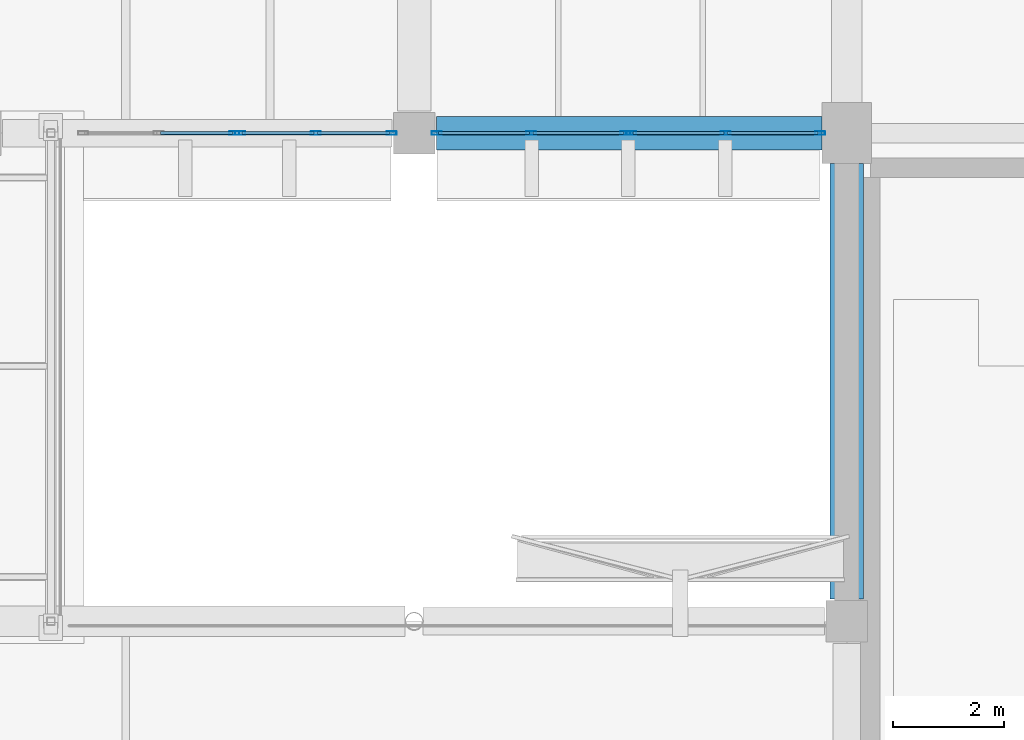
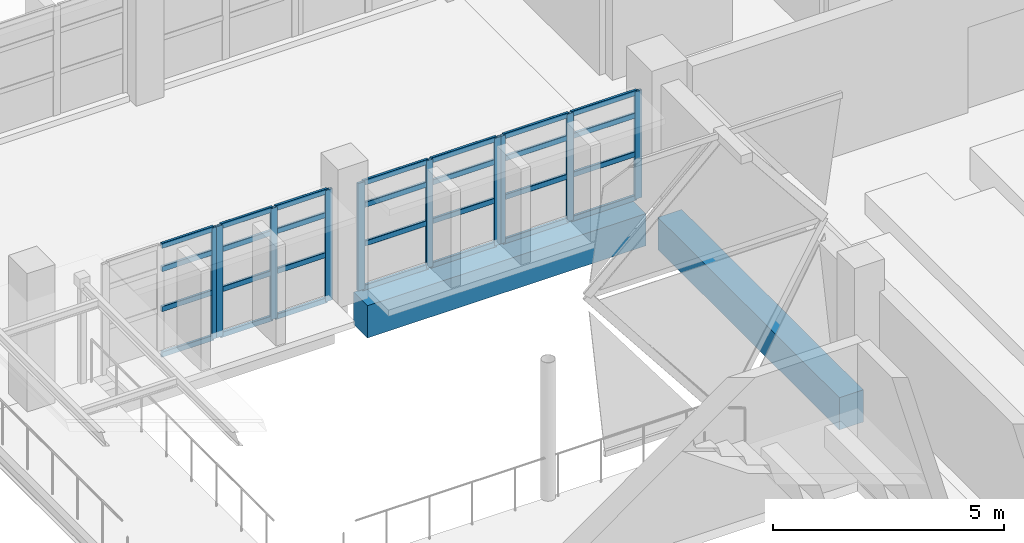
# One storey, part 30 of 80: 38 members, 2 beams, 4 elements without a shape of their own.
"""IFC4 building model written with IfcOpenShell, lengths in metres."""

import ifcopenshell
import ifcopenshell.guid

model = None  # the IFC model being written
_history = None  # IfcOwnerHistory: only IFC2X3 demands one
_inside = {}  # id of a spatial element -> (the spatial element, [elements in it])
_under = {}  # id of a project, library or spatial element -> (it, [spatial elements below it])
_declared = {}  # id of a project -> (the project, [libraries it declares])
_typed = {}  # id of a type object -> (the type object, [elements of that type])
_made_of = {}  # id of a material, layer set ... -> (it, [elements and type objects made of it])


def new_model(schema):
    """Start an empty IFC model of exactly this schema.

    Asked for "IFC4X3", IfcOpenShell would pick the latest addendum, in which some entities
    have other attributes; the version numbers below select the first issue.
    IFC2X3 requires an IfcOwnerHistory on every rooted entity: one is made here for all.
    """
    global model, _history
    if schema == "IFC4X3":
        model = ifcopenshell.file(schema_version=(4, 3, 0, 0))
    else:
        model = ifcopenshell.file(schema=schema)
    _inside.clear()
    _under.clear()
    _declared.clear()
    _typed.clear()
    _made_of.clear()
    _history = None
    if model.schema == "IFC2X3":
        org = make("IfcOrganization", Name="unknown")
        user = make(
            "IfcPersonAndOrganization",
            ThePerson=make("IfcPerson", FamilyName="unknown"),
            TheOrganization=org,
        )
        app = make(
            "IfcApplication",
            ApplicationDeveloper=org,
            Version="unknown",
            ApplicationFullName="unknown",
            ApplicationIdentifier="unknown",
        )
        _history = make(
            "IfcOwnerHistory",
            OwningUser=user,
            OwningApplication=app,
            ChangeAction="ADDED",
            CreationDate=0,
        )
    return model


def make(cls, **values):
    """One entity of the class cls with the attributes given. An attribute that is None is left unset."""
    return model.create_entity(
        cls, **{name: value for name, value in values.items() if value is not None}
    )


def rooted(cls, **values):
    """An entity with a GlobalId (a new one), such as an element, a storey or a relation."""
    return make(cls, GlobalId=ifcopenshell.guid.new(), OwnerHistory=_history, **values)


def si_unit(unit_type, name, prefix=None):
    """IfcSIUnit, for example si_unit("LENGTHUNIT", "METRE", prefix="MILLI")."""
    return make("IfcSIUnit", UnitType=unit_type, Prefix=prefix, Name=name)


def assignment(units):
    """IfcUnitAssignment: the units of a project."""
    return None if units is None else make("IfcUnitAssignment", Units=units)


def point(xyz):
    """IfcCartesianPoint."""
    return None if xyz is None else make("IfcCartesianPoint", Coordinates=xyz)


def direction(xyz):
    """IfcDirection."""
    return None if xyz is None else make("IfcDirection", DirectionRatios=xyz)


def frame(location, z_axis=None, x_axis=None):
    """IfcAxis2Placement3D, a coordinate frame: its origin and axes. An axis left out is left unset."""
    return make(
        "IfcAxis2Placement3D",
        Location=point(location),
        Axis=direction(z_axis),
        RefDirection=direction(x_axis),
    )


def frame_2d(location, x_axis=None):
    """IfcAxis2Placement2D, a coordinate frame in the plane: its origin and x axis."""
    return make(
        "IfcAxis2Placement2D", Location=point(location), RefDirection=direction(x_axis)
    )


def origin():
    """The frame at (0, 0, 0) with its axes left unset."""
    return frame((0.0, 0.0, 0.0))


def origin_2d():
    """The frame at (0, 0) in the plane with its x axis left unset."""
    return frame_2d((0.0, 0.0))


def place(relative_to, where):
    """IfcLocalPlacement: puts the frame where relative to a parent placement (None: the world)."""
    return make(
        "IfcLocalPlacement", PlacementRelTo=relative_to, RelativePlacement=where
    )


def context(
    kind, dimensions, precision=None, world=None, true_north=None, identifier=None
):
    """IfcGeometricRepresentationContext, for example the 3D "Model" context."""
    return make(
        "IfcGeometricRepresentationContext",
        ContextIdentifier=identifier,
        ContextType=kind,
        CoordinateSpaceDimension=dimensions,
        Precision=precision,
        WorldCoordinateSystem=world,
        TrueNorth=true_north,
    )


def subcontext(parent, identifier, kind, view, scale=None):
    """IfcGeometricRepresentationSubContext, for example "Body" below "Model"."""
    return make(
        "IfcGeometricRepresentationSubContext",
        ContextIdentifier=identifier,
        ContextType=kind,
        ParentContext=parent,
        TargetScale=scale,
        TargetView=view,
    )


def project(units=None, contexts=None):
    """IfcProject with its units and contexts."""
    return rooted(
        "IfcProject",
        Name="project",
        RepresentationContexts=contexts,
        UnitsInContext=assignment(units),
    )


def spatial(cls, under=None, at=None, **own):
    """A site, building, storey or space (cls), placed at a placement, below another one or the project."""
    s = rooted(cls, ObjectPlacement=at, **own)
    if under is not None:
        _under.setdefault(under.id(), (under, []))[1].append(s)
    return s


def profile(cls, at=None, kind="AREA", **sizes):
    """A parametric profile (cls). Its sizes go by their IFC names, for example OverallWidth=200.0."""
    return make(cls, ProfileType=kind, Position=at, **sizes)


def rectangle(**sizes):
    """IfcRectangleProfileDef."""
    return profile("IfcRectangleProfileDef", **sizes)


def hollow_rectangle(**sizes):
    """IfcRectangleHollowProfileDef."""
    return profile("IfcRectangleHollowProfileDef", **sizes)


def extrude(swept, where, along, depth):
    """IfcExtrudedAreaSolid: the profile swept, set in the frame where, extruded along a direction by depth."""
    return make(
        "IfcExtrudedAreaSolid",
        SweptArea=swept,
        Position=where,
        ExtrudedDirection=direction(along),
        Depth=depth,
    )


def shape(context_of_items, identifier, shape_type, items):
    """IfcShapeRepresentation: the items that make up one representation, for example the "Body"."""
    return make(
        "IfcShapeRepresentation",
        ContextOfItems=context_of_items,
        RepresentationIdentifier=identifier,
        RepresentationType=shape_type,
        Items=items,
    )


def material(Name=None, Category=None):
    """IfcMaterial."""
    return make("IfcMaterial", Name=Name, Category=Category)


def material_profile(
    of_material, cross_section, Name=None, Category=None, Priority=None
):
    """IfcMaterialProfile: a cross section and its material."""
    return make(
        "IfcMaterialProfile",
        Name=Name,
        Material=of_material,
        Profile=cross_section,
        Priority=Priority,
        Category=Category,
    )


def profile_set(profiles, Name=None, composite=None):
    """IfcMaterialProfileSet."""
    return make(
        "IfcMaterialProfileSet",
        Name=Name,
        MaterialProfiles=profiles,
        CompositeProfile=composite,
    )


def made_of(thing, what):
    """Note that an element or type object is made of a material, layer set ...; save() writes the relation."""
    if what is not None:
        _made_of.setdefault(what.id(), (what, []))[1].append(thing)
    return thing


def type_object(cls, material=None, **own):
    """A type object (cls), such as IfcWallType, which elements share."""
    return made_of(rooted(cls, **own), material)


def element(
    cls,
    number,
    at=None,
    inside=None,
    cuts=None,
    type_object=None,
    material=None,
    context=None,
    identifier="Body",
    shape_type=None,
    held_by="IfcProductDefinitionShape",
    body=None,
    shapes=None,
    **own,
):
    """One element of the class cls, such as IfcWall. Its Tag is "e" and its number.

    at: its placement. inside: the storey or other place that contains it. cuts: it is an
    opening in that element (IfcRelVoidsElement). A single representation is given by context,
    identifier, shape_type and body (its items); several are given by shapes. held_by: the class
    of the entity that holds the representations. save() writes the other relations.
    """
    e = rooted(cls, Tag="e%d" % number, ObjectPlacement=at, **own)
    if body is not None:
        shapes = [shape(context, identifier, shape_type, body)]
    if shapes is not None:
        e.Representation = make(held_by, Representations=shapes)
    if inside is not None:
        _inside.setdefault(inside.id(), (inside, []))[1].append(e)
    if cuts is not None:
        rooted(
            "IfcRelVoidsElement", RelatingBuildingElement=cuts, RelatedOpeningElement=e
        )
    if type_object is not None:
        _typed.setdefault(type_object.id(), (type_object, []))[1].append(e)
    return made_of(e, material)


def aggregate(whole, parts):
    """IfcRelAggregates: a whole, such as a stair, and the parts it consists of."""
    return rooted("IfcRelAggregates", RelatingObject=whole, RelatedObjects=parts)


def save(model, path):
    """Write the relations noted so far, then the file.

    IfcRelAggregates (storeys below a building ...), IfcRelContainedInSpatialStructure (elements
    in a storey), IfcRelDefinesByType, IfcRelAssociatesMaterial and IfcRelDeclares: one each for
    every whole, place, type object, material and project.
    """
    for whole, parts in _under.values():
        aggregate(whole, parts)
    for where, things in _inside.values():
        rooted(
            "IfcRelContainedInSpatialStructure",
            RelatedElements=things,
            RelatingStructure=where,
        )
    for kind, things in _typed.values():
        rooted("IfcRelDefinesByType", RelatedObjects=things, RelatingType=kind)
    for what, things in _made_of.values():
        rooted("IfcRelAssociatesMaterial", RelatedObjects=things, RelatingMaterial=what)
    for by, libraries in _declared.values():
        rooted("IfcRelDeclares", RelatingContext=by, RelatedDefinitions=libraries)
    model.write(path)


model = new_model("IFC4")

# Units and contexts
model_context = context("Model", 3, precision=1e-05, world=origin(), true_north=direction((0.0, 1.0)))
body_context = subcontext(model_context, "Body", "Model", "MODEL_VIEW")
ifc_project = project(units=[si_unit("LENGTHUNIT", "METRE"), si_unit("AREAUNIT", "SQUARE_METRE"), si_unit("VOLUMEUNIT", "CUBIC_METRE"), si_unit("PLANEANGLEUNIT", "RADIAN"), si_unit("MASSUNIT", "GRAM", prefix="KILO")], contexts=[model_context])

# Site, building, storey
site_placement = place(None, origin())
site = spatial("IfcSite", under=ifc_project, at=site_placement, CompositionType="ELEMENT")
building_placement = place(site_placement, origin())
building = spatial("IfcBuilding", under=site, at=building_placement, Name="Varnakota Cinema and Media Centre", CompositionType="ELEMENT")
storey_placement = place(building_placement, frame((0.0, 0.0, 4.5)))
storey = spatial("IfcBuildingStorey", under=building, at=storey_placement, Name="L01", CompositionType="ELEMENT", Elevation=4.5)

# Beams
ifc_material_1 = material(Name="Concrete M35", Category="concrete")
ifc_material_profile_1 = material_profile(ifc_material_1, rectangle(XDim=0.60009765625, YDim=0.85009765625, at=origin_2d()), Name="RCB 600x850")
ifc_profile_set_1 = profile_set([ifc_material_profile_1], Name="Concrete M35")
beam_type = type_object("IfcBeamType", Name="BM-RC-600x850", PredefinedType="BEAM", material=ifc_profile_set_1)
beam_1_placement = place(storey_placement, frame((67.60009765625, 35.199951171875, -0.675048828125), z_axis=(1.0, 0.0, 0.0), x_axis=(0.0, 1.0, 0.0)))
element("IfcBeam", 1, at=beam_1_placement, inside=storey, type_object=beam_type, Name="L01 girder J-K/5", PredefinedType="BEAM", context=body_context, shape_type="SweptSolid", body=[
    extrude(rectangle(XDim=0.60009765625, YDim=0.85009765625, at=origin_2d()), origin(), (0.0, 0.0, 1.0), 6.949951171875),
])
beam_2_placement = place(storey_placement, frame((75.0, 26.800048828125, -0.675048828125), z_axis=(0.0, 1.0, 0.0), x_axis=(-1.0, 0.0, 0.0)))
element("IfcBeam", 2, at=beam_2_placement, inside=storey, type_object=beam_type, Name="L01 girder K/4-5", PredefinedType="BEAM", context=body_context, shape_type="SweptSolid", body=[
    extrude(rectangle(XDim=0.60009765625, YDim=0.85009765625, at=origin_2d()), origin(), (0.0, 0.0, 1.0), 7.849853515625),
])

# Curtain wall, members
ifc_material_2 = material(Name="Thermally broken anodised aluminium AW-6063", Category="aluminium")
curtain_wall_type_1 = type_object("IfcCurtainWallType", Name="CW-STD-347x284", PredefinedType="USERDEFINED", material=ifc_material_2)
curtain_wall_1_placement = place(storey_placement, origin())
curtain_wall_1 = element("IfcCurtainWall", 3, at=curtain_wall_1_placement, inside=storey, type_object=curtain_wall_type_1, Name="L01 curtain wall CW-L01-LINK-S-E-01-1", ObjectType="UNITISED CURTAIN WALL", PredefinedType="USERDEFINED")
ifc_material_3 = material(Name="Thermally broken anodised aluminium AW-6063", Category="aluminium")
ifc_material_profile_2 = material_profile(ifc_material_3, hollow_rectangle(XDim=0.06494140625, YDim=0.179931640625, WallThickness=0.00390625, InnerFilletRadius=0.00390625, OuterFilletRadius=0.008056640625, at=origin_2d()), Name="AL-MULLION 180x65x4")
ifc_profile_set_2 = profile_set([ifc_material_profile_2], Name="Thermally broken anodised aluminium AW-6063")
member_type_1 = type_object("IfcMemberType", Name="CWM-AL-180", PredefinedType="MULLION", material=ifc_profile_set_2)
member_1_placement = place(storey_placement, frame((74.517578125, 35.199951171875, 0.0), z_axis=(0.0, 0.0, 1.0), x_axis=(0.0, -1.0, 0.0)))
member_1 = element("IfcMember", 4, at=member_1_placement, type_object=member_type_1, Name="CW22 mullion 1", PredefinedType="MULLION", context=body_context, shape_type="SweptSolid", body=[
    extrude(hollow_rectangle(XDim=0.06494140625, YDim=0.179931640625, WallThickness=0.00390625, InnerFilletRadius=0.00390625, OuterFilletRadius=0.008056640625, at=origin_2d()), origin(), (0.0, 0.0, 1.0), 2.8349609375),
])
member_2_placement = place(storey_placement, frame((72.816162109375, 35.199951171875, 0.0), z_axis=(0.0, 0.0, 1.0), x_axis=(0.0, -1.0, 0.0)))
member_2 = element("IfcMember", 5, at=member_2_placement, type_object=member_type_1, Name="CW22 mullion 2", PredefinedType="MULLION", context=body_context, shape_type="SweptSolid", body=[
    extrude(hollow_rectangle(XDim=0.06494140625, YDim=0.179931640625, WallThickness=0.00390625, InnerFilletRadius=0.00390625, OuterFilletRadius=0.008056640625, at=origin_2d()), origin(), (0.0, 0.0, 1.0), 2.8349609375),
])
member_3_placement = place(storey_placement, frame((71.114990234375, 35.199951171875, 0.0), z_axis=(0.0, 0.0, 1.0), x_axis=(0.0, -1.0, 0.0)))
member_3 = element("IfcMember", 6, at=member_3_placement, type_object=member_type_1, Name="CW22 mullion 3", PredefinedType="MULLION", context=body_context, shape_type="SweptSolid", body=[
    extrude(hollow_rectangle(XDim=0.06494140625, YDim=0.179931640625, WallThickness=0.00390625, InnerFilletRadius=0.00390625, OuterFilletRadius=0.008056640625, at=origin_2d()), origin(), (0.0, 0.0, 1.0), 2.8349609375),
])

curtain_wall_2_placement = place(storey_placement, origin())
curtain_wall_2 = element("IfcCurtainWall", 7, at=curtain_wall_2_placement, inside=storey, type_object=curtain_wall_type_1, Name="L01 curtain wall CW-L01-LINK-S-E-01-2", ObjectType="UNITISED CURTAIN WALL", PredefinedType="USERDEFINED")
member_4_placement = place(storey_placement, frame((71.010009765625, 35.199951171875, 0.0), z_axis=(0.0, 0.0, 1.0), x_axis=(0.0, -1.0, 0.0)))
member_4 = element("IfcMember", 8, at=member_4_placement, type_object=member_type_1, Name="CW22 mullion 1", PredefinedType="MULLION", context=body_context, shape_type="SweptSolid", body=[
    extrude(hollow_rectangle(XDim=0.06494140625, YDim=0.179931640625, WallThickness=0.00390625, InnerFilletRadius=0.00390625, OuterFilletRadius=0.008056640625, at=origin_2d()), origin(), (0.0, 0.0, 1.0), 2.8349609375),
])
member_5_placement = place(storey_placement, frame((69.308837890625, 35.199951171875, 0.0), z_axis=(0.0, 0.0, 1.0), x_axis=(0.0, -1.0, 0.0)))
member_5 = element("IfcMember", 9, at=member_5_placement, type_object=member_type_1, Name="CW22 mullion 2", PredefinedType="MULLION", context=body_context, shape_type="SweptSolid", body=[
    extrude(hollow_rectangle(XDim=0.06494140625, YDim=0.179931640625, WallThickness=0.00390625, InnerFilletRadius=0.00390625, OuterFilletRadius=0.008056640625, at=origin_2d()), origin(), (0.0, 0.0, 1.0), 2.8349609375),
])
member_6_placement = place(storey_placement, frame((67.607421875, 35.199951171875, 0.0), z_axis=(0.0, 0.0, 1.0), x_axis=(0.0, -1.0, 0.0)))
member_6 = element("IfcMember", 10, at=member_6_placement, type_object=member_type_1, Name="CW22 mullion 3", PredefinedType="MULLION", context=body_context, shape_type="SweptSolid", body=[
    extrude(hollow_rectangle(XDim=0.06494140625, YDim=0.179931640625, WallThickness=0.00390625, InnerFilletRadius=0.00390625, OuterFilletRadius=0.008056640625, at=origin_2d()), origin(), (0.0, 0.0, 1.0), 2.8349609375),
])

ifc_material_4 = material(Name="Thermally broken anodised aluminium AW-6063", Category="aluminium")
curtain_wall_type_2 = type_object("IfcCurtainWallType", Name="CW-STD-279x294", PredefinedType="USERDEFINED", material=ifc_material_4)
curtain_wall_3_placement = place(storey_placement, origin())
curtain_wall_3 = element("IfcCurtainWall", 11, at=curtain_wall_3_placement, inside=storey, type_object=curtain_wall_type_2, Name="L01 curtain wall CW-L01-LINK-S-E-02-1", ObjectType="UNITISED CURTAIN WALL", PredefinedType="USERDEFINED")
member_7_placement = place(storey_placement, frame((66.79248046875, 35.199951171875, 0.0), z_axis=(0.0, 0.0, 1.0), x_axis=(0.0, -1.0, 0.0)))
member_7 = element("IfcMember", 12, at=member_7_placement, type_object=member_type_1, Name="CW23 mullion 1", PredefinedType="MULLION", context=body_context, shape_type="SweptSolid", body=[
    extrude(hollow_rectangle(XDim=0.06494140625, YDim=0.179931640625, WallThickness=0.00390625, InnerFilletRadius=0.00390625, OuterFilletRadius=0.008056640625, at=origin_2d()), origin(), (0.0, 0.0, 1.0), 2.93505859375),
])
member_8_placement = place(storey_placement, frame((65.4287109375, 35.199951171875, 0.0), z_axis=(0.0, 0.0, 1.0), x_axis=(0.0, -1.0, 0.0)))
member_8 = element("IfcMember", 13, at=member_8_placement, type_object=member_type_1, Name="CW23 mullion 2", PredefinedType="MULLION", context=body_context, shape_type="SweptSolid", body=[
    extrude(hollow_rectangle(XDim=0.06494140625, YDim=0.179931640625, WallThickness=0.00390625, InnerFilletRadius=0.00390625, OuterFilletRadius=0.008056640625, at=origin_2d()), origin(), (0.0, 0.0, 1.0), 2.93505859375),
])
member_9_placement = place(storey_placement, frame((64.06494140625, 35.199951171875, 0.0), z_axis=(0.0, 0.0, 1.0), x_axis=(0.0, -1.0, 0.0)))
member_9 = element("IfcMember", 14, at=member_9_placement, type_object=member_type_1, Name="CW23 mullion 3", PredefinedType="MULLION", context=body_context, shape_type="SweptSolid", body=[
    extrude(hollow_rectangle(XDim=0.06494140625, YDim=0.179931640625, WallThickness=0.00390625, InnerFilletRadius=0.00390625, OuterFilletRadius=0.008056640625, at=origin_2d()), origin(), (0.0, 0.0, 1.0), 2.93505859375),
])

# Curtain wall, member
curtain_wall_4_placement = place(storey_placement, origin())
curtain_wall_4 = element("IfcCurtainWall", 15, at=curtain_wall_4_placement, inside=storey, type_object=curtain_wall_type_2, Name="L01 curtain wall CW-L01-LINK-S-E-02-2", ObjectType="UNITISED CURTAIN WALL", PredefinedType="USERDEFINED")
member_10_placement = place(storey_placement, frame((63.9599609375, 35.199951171875, 0.0), z_axis=(0.0, 0.0, 1.0), x_axis=(0.0, -1.0, 0.0)))
member_10 = element("IfcMember", 16, at=member_10_placement, type_object=member_type_1, Name="CW23 mullion 1", PredefinedType="MULLION", context=body_context, shape_type="SweptSolid", body=[
    extrude(hollow_rectangle(XDim=0.06494140625, YDim=0.179931640625, WallThickness=0.00390625, InnerFilletRadius=0.00390625, OuterFilletRadius=0.008056640625, at=origin_2d()), origin(), (0.0, 0.0, 1.0), 2.93505859375),
])

# Member
ifc_material_5 = material(Name="Thermally broken anodised aluminium AW-6063", Category="aluminium")
ifc_material_profile_3 = material_profile(ifc_material_5, hollow_rectangle(XDim=0.06494140625, YDim=0.139892578125, WallThickness=0.00390625, InnerFilletRadius=0.00390625, OuterFilletRadius=0.008056640625, at=origin_2d()), Name="AL-TRANSOM 140x65x4")
ifc_profile_set_3 = profile_set([ifc_material_profile_3], Name="Thermally broken anodised aluminium AW-6063")
member_type_2 = type_object("IfcMemberType", Name="CWT-AL-140", PredefinedType="USERDEFINED", material=ifc_profile_set_3)
member_11_placement = place(storey_placement, frame((74.485107421875, 35.199951171875, 0.032470703125), z_axis=(-1.0, 0.0, 0.0), x_axis=(0.0, -1.0, 0.0)))
member_11 = element("IfcMember", 17, at=member_11_placement, type_object=member_type_2, Name="CW22 transom 1.1", ObjectType="TRANSOM", PredefinedType="USERDEFINED", context=body_context, shape_type="SweptSolid", body=[
    extrude(hollow_rectangle(XDim=0.06494140625, YDim=0.139892578125, WallThickness=0.00390625, InnerFilletRadius=0.00390625, OuterFilletRadius=0.008056640625, at=origin_2d()), origin(), (0.0, 0.0, 1.0), 1.636474609375),
])

member_12_placement = place(storey_placement, frame((74.485107421875, 35.199951171875, 1.190673828125), z_axis=(-1.0, 0.0, 0.0), x_axis=(0.0, -1.0, 0.0)))
member_12 = element("IfcMember", 18, at=member_12_placement, type_object=member_type_2, Name="CW22 transom 1.2", ObjectType="TRANSOM", PredefinedType="USERDEFINED", context=body_context, shape_type="SweptSolid", body=[
    extrude(hollow_rectangle(XDim=0.06494140625, YDim=0.139892578125, WallThickness=0.00390625, InnerFilletRadius=0.00390625, OuterFilletRadius=0.008056640625, at=origin_2d()), origin(), (0.0, 0.0, 1.0), 1.636474609375),
])

member_13_placement = place(storey_placement, frame((74.485107421875, 35.199951171875, 2.211181640625), z_axis=(-1.0, 0.0, 0.0), x_axis=(0.0, -1.0, 0.0)))
member_13 = element("IfcMember", 19, at=member_13_placement, type_object=member_type_2, Name="CW22 transom 1.3", ObjectType="TRANSOM", PredefinedType="USERDEFINED", context=body_context, shape_type="SweptSolid", body=[
    extrude(hollow_rectangle(XDim=0.06494140625, YDim=0.139892578125, WallThickness=0.00390625, InnerFilletRadius=0.00390625, OuterFilletRadius=0.008056640625, at=origin_2d()), origin(), (0.0, 0.0, 1.0), 1.636474609375),
])

member_14_placement = place(storey_placement, frame((74.485107421875, 35.199951171875, 2.802490234375), z_axis=(-1.0, 0.0, 0.0), x_axis=(0.0, -1.0, 0.0)))
member_14 = element("IfcMember", 20, at=member_14_placement, type_object=member_type_2, Name="CW22 transom 1.4", ObjectType="TRANSOM", PredefinedType="USERDEFINED", context=body_context, shape_type="SweptSolid", body=[
    extrude(hollow_rectangle(XDim=0.06494140625, YDim=0.139892578125, WallThickness=0.00390625, InnerFilletRadius=0.00390625, OuterFilletRadius=0.008056640625, at=origin_2d()), origin(), (0.0, 0.0, 1.0), 1.636474609375),
])

member_15_placement = place(storey_placement, frame((72.78369140625, 35.199951171875, 0.032470703125), z_axis=(-1.0, 0.0, 0.0), x_axis=(0.0, -1.0, 0.0)))
member_15 = element("IfcMember", 21, at=member_15_placement, type_object=member_type_2, Name="CW22 transom 2.1", ObjectType="TRANSOM", PredefinedType="USERDEFINED", context=body_context, shape_type="SweptSolid", body=[
    extrude(hollow_rectangle(XDim=0.06494140625, YDim=0.139892578125, WallThickness=0.00390625, InnerFilletRadius=0.00390625, OuterFilletRadius=0.008056640625, at=origin_2d()), origin(), (0.0, 0.0, 1.0), 1.63623046875),
])

member_16_placement = place(storey_placement, frame((72.78369140625, 35.199951171875, 1.190673828125), z_axis=(-1.0, 0.0, 0.0), x_axis=(0.0, -1.0, 0.0)))
member_16 = element("IfcMember", 22, at=member_16_placement, type_object=member_type_2, Name="CW22 transom 2.2", ObjectType="TRANSOM", PredefinedType="USERDEFINED", context=body_context, shape_type="SweptSolid", body=[
    extrude(hollow_rectangle(XDim=0.06494140625, YDim=0.139892578125, WallThickness=0.00390625, InnerFilletRadius=0.00390625, OuterFilletRadius=0.008056640625, at=origin_2d()), origin(), (0.0, 0.0, 1.0), 1.63623046875),
])

member_17_placement = place(storey_placement, frame((72.78369140625, 35.199951171875, 2.211181640625), z_axis=(-1.0, 0.0, 0.0), x_axis=(0.0, -1.0, 0.0)))
member_17 = element("IfcMember", 23, at=member_17_placement, type_object=member_type_2, Name="CW22 transom 2.3", ObjectType="TRANSOM", PredefinedType="USERDEFINED", context=body_context, shape_type="SweptSolid", body=[
    extrude(hollow_rectangle(XDim=0.06494140625, YDim=0.139892578125, WallThickness=0.00390625, InnerFilletRadius=0.00390625, OuterFilletRadius=0.008056640625, at=origin_2d()), origin(), (0.0, 0.0, 1.0), 1.63623046875),
])

member_18_placement = place(storey_placement, frame((72.78369140625, 35.199951171875, 2.802490234375), z_axis=(-1.0, 0.0, 0.0), x_axis=(0.0, -1.0, 0.0)))
member_18 = element("IfcMember", 24, at=member_18_placement, type_object=member_type_2, Name="CW22 transom 2.4", ObjectType="TRANSOM", PredefinedType="USERDEFINED", context=body_context, shape_type="SweptSolid", body=[
    extrude(hollow_rectangle(XDim=0.06494140625, YDim=0.139892578125, WallThickness=0.00390625, InnerFilletRadius=0.00390625, OuterFilletRadius=0.008056640625, at=origin_2d()), origin(), (0.0, 0.0, 1.0), 1.63623046875),
])

aggregate(curtain_wall_1, [member_1, member_2, member_3, member_11, member_12, member_13, member_14, member_15, member_16, member_17, member_18])

member_19_placement = place(storey_placement, frame((70.9775390625, 35.199951171875, 0.032470703125), z_axis=(-1.0, 0.0, 0.0), x_axis=(0.0, -1.0, 0.0)))
member_19 = element("IfcMember", 25, at=member_19_placement, type_object=member_type_2, Name="CW22 transom 1.1", ObjectType="TRANSOM", PredefinedType="USERDEFINED", context=body_context, shape_type="SweptSolid", body=[
    extrude(hollow_rectangle(XDim=0.06494140625, YDim=0.139892578125, WallThickness=0.00390625, InnerFilletRadius=0.00390625, OuterFilletRadius=0.008056640625, at=origin_2d()), origin(), (0.0, 0.0, 1.0), 1.63623046875),
])

member_20_placement = place(storey_placement, frame((70.9775390625, 35.199951171875, 1.190673828125), z_axis=(-1.0, 0.0, 0.0), x_axis=(0.0, -1.0, 0.0)))
member_20 = element("IfcMember", 26, at=member_20_placement, type_object=member_type_2, Name="CW22 transom 1.2", ObjectType="TRANSOM", PredefinedType="USERDEFINED", context=body_context, shape_type="SweptSolid", body=[
    extrude(hollow_rectangle(XDim=0.06494140625, YDim=0.139892578125, WallThickness=0.00390625, InnerFilletRadius=0.00390625, OuterFilletRadius=0.008056640625, at=origin_2d()), origin(), (0.0, 0.0, 1.0), 1.63623046875),
])

member_21_placement = place(storey_placement, frame((70.9775390625, 35.199951171875, 2.211181640625), z_axis=(-1.0, 0.0, 0.0), x_axis=(0.0, -1.0, 0.0)))
member_21 = element("IfcMember", 27, at=member_21_placement, type_object=member_type_2, Name="CW22 transom 1.3", ObjectType="TRANSOM", PredefinedType="USERDEFINED", context=body_context, shape_type="SweptSolid", body=[
    extrude(hollow_rectangle(XDim=0.06494140625, YDim=0.139892578125, WallThickness=0.00390625, InnerFilletRadius=0.00390625, OuterFilletRadius=0.008056640625, at=origin_2d()), origin(), (0.0, 0.0, 1.0), 1.63623046875),
])

member_22_placement = place(storey_placement, frame((70.9775390625, 35.199951171875, 2.802490234375), z_axis=(-1.0, 0.0, 0.0), x_axis=(0.0, -1.0, 0.0)))
member_22 = element("IfcMember", 28, at=member_22_placement, type_object=member_type_2, Name="CW22 transom 1.4", ObjectType="TRANSOM", PredefinedType="USERDEFINED", context=body_context, shape_type="SweptSolid", body=[
    extrude(hollow_rectangle(XDim=0.06494140625, YDim=0.139892578125, WallThickness=0.00390625, InnerFilletRadius=0.00390625, OuterFilletRadius=0.008056640625, at=origin_2d()), origin(), (0.0, 0.0, 1.0), 1.63623046875),
])

member_23_placement = place(storey_placement, frame((69.2763671875, 35.199951171875, 0.032470703125), z_axis=(-1.0, 0.0, 0.0), x_axis=(0.0, -1.0, 0.0)))
member_23 = element("IfcMember", 29, at=member_23_placement, type_object=member_type_2, Name="CW22 transom 2.1", ObjectType="TRANSOM", PredefinedType="USERDEFINED", context=body_context, shape_type="SweptSolid", body=[
    extrude(hollow_rectangle(XDim=0.06494140625, YDim=0.139892578125, WallThickness=0.00390625, InnerFilletRadius=0.00390625, OuterFilletRadius=0.008056640625, at=origin_2d()), origin(), (0.0, 0.0, 1.0), 1.636474609375),
])

member_24_placement = place(storey_placement, frame((69.2763671875, 35.199951171875, 1.190673828125), z_axis=(-1.0, 0.0, 0.0), x_axis=(0.0, -1.0, 0.0)))
member_24 = element("IfcMember", 30, at=member_24_placement, type_object=member_type_2, Name="CW22 transom 2.2", ObjectType="TRANSOM", PredefinedType="USERDEFINED", context=body_context, shape_type="SweptSolid", body=[
    extrude(hollow_rectangle(XDim=0.06494140625, YDim=0.139892578125, WallThickness=0.00390625, InnerFilletRadius=0.00390625, OuterFilletRadius=0.008056640625, at=origin_2d()), origin(), (0.0, 0.0, 1.0), 1.636474609375),
])

member_25_placement = place(storey_placement, frame((69.2763671875, 35.199951171875, 2.211181640625), z_axis=(-1.0, 0.0, 0.0), x_axis=(0.0, -1.0, 0.0)))
member_25 = element("IfcMember", 31, at=member_25_placement, type_object=member_type_2, Name="CW22 transom 2.3", ObjectType="TRANSOM", PredefinedType="USERDEFINED", context=body_context, shape_type="SweptSolid", body=[
    extrude(hollow_rectangle(XDim=0.06494140625, YDim=0.139892578125, WallThickness=0.00390625, InnerFilletRadius=0.00390625, OuterFilletRadius=0.008056640625, at=origin_2d()), origin(), (0.0, 0.0, 1.0), 1.636474609375),
])

member_26_placement = place(storey_placement, frame((69.2763671875, 35.199951171875, 2.802490234375), z_axis=(-1.0, 0.0, 0.0), x_axis=(0.0, -1.0, 0.0)))
member_26 = element("IfcMember", 32, at=member_26_placement, type_object=member_type_2, Name="CW22 transom 2.4", ObjectType="TRANSOM", PredefinedType="USERDEFINED", context=body_context, shape_type="SweptSolid", body=[
    extrude(hollow_rectangle(XDim=0.06494140625, YDim=0.139892578125, WallThickness=0.00390625, InnerFilletRadius=0.00390625, OuterFilletRadius=0.008056640625, at=origin_2d()), origin(), (0.0, 0.0, 1.0), 1.636474609375),
])

aggregate(curtain_wall_2, [member_4, member_5, member_6, member_19, member_20, member_21, member_22, member_23, member_24, member_25, member_26])

member_27_placement = place(storey_placement, frame((66.760009765625, 35.199951171875, 0.032470703125), z_axis=(-1.0, 0.0, 0.0), x_axis=(0.0, -1.0, 0.0)))
member_27 = element("IfcMember", 33, at=member_27_placement, type_object=member_type_2, Name="CW23 transom 1.1", ObjectType="TRANSOM", PredefinedType="USERDEFINED", context=body_context, shape_type="SweptSolid", body=[
    extrude(hollow_rectangle(XDim=0.06494140625, YDim=0.139892578125, WallThickness=0.00390625, InnerFilletRadius=0.00390625, OuterFilletRadius=0.008056640625, at=origin_2d()), origin(), (0.0, 0.0, 1.0), 1.298828125),
])

member_28_placement = place(storey_placement, frame((66.760009765625, 35.199951171875, 1.232666015625), z_axis=(-1.0, 0.0, 0.0), x_axis=(0.0, -1.0, 0.0)))
member_28 = element("IfcMember", 34, at=member_28_placement, type_object=member_type_2, Name="CW23 transom 1.2", ObjectType="TRANSOM", PredefinedType="USERDEFINED", context=body_context, shape_type="SweptSolid", body=[
    extrude(hollow_rectangle(XDim=0.06494140625, YDim=0.139892578125, WallThickness=0.00390625, InnerFilletRadius=0.00390625, OuterFilletRadius=0.008056640625, at=origin_2d()), origin(), (0.0, 0.0, 1.0), 1.298828125),
])

member_29_placement = place(storey_placement, frame((66.760009765625, 35.199951171875, 2.289306640625), z_axis=(-1.0, 0.0, 0.0), x_axis=(0.0, -1.0, 0.0)))
member_29 = element("IfcMember", 35, at=member_29_placement, type_object=member_type_2, Name="CW23 transom 1.3", ObjectType="TRANSOM", PredefinedType="USERDEFINED", context=body_context, shape_type="SweptSolid", body=[
    extrude(hollow_rectangle(XDim=0.06494140625, YDim=0.139892578125, WallThickness=0.00390625, InnerFilletRadius=0.00390625, OuterFilletRadius=0.008056640625, at=origin_2d()), origin(), (0.0, 0.0, 1.0), 1.298828125),
])

member_30_placement = place(storey_placement, frame((66.760009765625, 35.199951171875, 2.902587890625), z_axis=(-1.0, 0.0, 0.0), x_axis=(0.0, -1.0, 0.0)))
member_30 = element("IfcMember", 36, at=member_30_placement, type_object=member_type_2, Name="CW23 transom 1.4", ObjectType="TRANSOM", PredefinedType="USERDEFINED", context=body_context, shape_type="SweptSolid", body=[
    extrude(hollow_rectangle(XDim=0.06494140625, YDim=0.139892578125, WallThickness=0.00390625, InnerFilletRadius=0.00390625, OuterFilletRadius=0.008056640625, at=origin_2d()), origin(), (0.0, 0.0, 1.0), 1.298828125),
])

member_31_placement = place(storey_placement, frame((65.396240234375, 35.199951171875, 0.032470703125), z_axis=(-1.0, 0.0, 0.0), x_axis=(0.0, -1.0, 0.0)))
member_31 = element("IfcMember", 37, at=member_31_placement, type_object=member_type_2, Name="CW23 transom 2.1", ObjectType="TRANSOM", PredefinedType="USERDEFINED", context=body_context, shape_type="SweptSolid", body=[
    extrude(hollow_rectangle(XDim=0.06494140625, YDim=0.139892578125, WallThickness=0.00390625, InnerFilletRadius=0.00390625, OuterFilletRadius=0.008056640625, at=origin_2d()), origin(), (0.0, 0.0, 1.0), 1.298828125),
])

member_32_placement = place(storey_placement, frame((65.396240234375, 35.199951171875, 1.232666015625), z_axis=(-1.0, 0.0, 0.0), x_axis=(0.0, -1.0, 0.0)))
member_32 = element("IfcMember", 38, at=member_32_placement, type_object=member_type_2, Name="CW23 transom 2.2", ObjectType="TRANSOM", PredefinedType="USERDEFINED", context=body_context, shape_type="SweptSolid", body=[
    extrude(hollow_rectangle(XDim=0.06494140625, YDim=0.139892578125, WallThickness=0.00390625, InnerFilletRadius=0.00390625, OuterFilletRadius=0.008056640625, at=origin_2d()), origin(), (0.0, 0.0, 1.0), 1.298828125),
])

member_33_placement = place(storey_placement, frame((65.396240234375, 35.199951171875, 2.289306640625), z_axis=(-1.0, 0.0, 0.0), x_axis=(0.0, -1.0, 0.0)))
member_33 = element("IfcMember", 39, at=member_33_placement, type_object=member_type_2, Name="CW23 transom 2.3", ObjectType="TRANSOM", PredefinedType="USERDEFINED", context=body_context, shape_type="SweptSolid", body=[
    extrude(hollow_rectangle(XDim=0.06494140625, YDim=0.139892578125, WallThickness=0.00390625, InnerFilletRadius=0.00390625, OuterFilletRadius=0.008056640625, at=origin_2d()), origin(), (0.0, 0.0, 1.0), 1.298828125),
])

member_34_placement = place(storey_placement, frame((65.396240234375, 35.199951171875, 2.902587890625), z_axis=(-1.0, 0.0, 0.0), x_axis=(0.0, -1.0, 0.0)))
member_34 = element("IfcMember", 40, at=member_34_placement, type_object=member_type_2, Name="CW23 transom 2.4", ObjectType="TRANSOM", PredefinedType="USERDEFINED", context=body_context, shape_type="SweptSolid", body=[
    extrude(hollow_rectangle(XDim=0.06494140625, YDim=0.139892578125, WallThickness=0.00390625, InnerFilletRadius=0.00390625, OuterFilletRadius=0.008056640625, at=origin_2d()), origin(), (0.0, 0.0, 1.0), 1.298828125),
])

aggregate(curtain_wall_3, [member_7, member_8, member_9, member_27, member_28, member_29, member_30, member_31, member_32, member_33, member_34])

member_35_placement = place(storey_placement, frame((63.927490234375, 35.199951171875, 0.032470703125), z_axis=(-1.0, 0.0, 0.0), x_axis=(0.0, -1.0, 0.0)))
member_35 = element("IfcMember", 41, at=member_35_placement, type_object=member_type_2, Name="CW23 transom 1.1", ObjectType="TRANSOM", PredefinedType="USERDEFINED", context=body_context, shape_type="SweptSolid", body=[
    extrude(hollow_rectangle(XDim=0.06494140625, YDim=0.139892578125, WallThickness=0.00390625, InnerFilletRadius=0.00390625, OuterFilletRadius=0.008056640625, at=origin_2d()), origin(), (0.0, 0.0, 1.0), 1.298828125),
])

member_36_placement = place(storey_placement, frame((63.927490234375, 35.199951171875, 1.232666015625), z_axis=(-1.0, 0.0, 0.0), x_axis=(0.0, -1.0, 0.0)))
member_36 = element("IfcMember", 42, at=member_36_placement, type_object=member_type_2, Name="CW23 transom 1.2", ObjectType="TRANSOM", PredefinedType="USERDEFINED", context=body_context, shape_type="SweptSolid", body=[
    extrude(hollow_rectangle(XDim=0.06494140625, YDim=0.139892578125, WallThickness=0.00390625, InnerFilletRadius=0.00390625, OuterFilletRadius=0.008056640625, at=origin_2d()), origin(), (0.0, 0.0, 1.0), 1.298828125),
])

member_37_placement = place(storey_placement, frame((63.927490234375, 35.199951171875, 2.289306640625), z_axis=(-1.0, 0.0, 0.0), x_axis=(0.0, -1.0, 0.0)))
member_37 = element("IfcMember", 43, at=member_37_placement, type_object=member_type_2, Name="CW23 transom 1.3", ObjectType="TRANSOM", PredefinedType="USERDEFINED", context=body_context, shape_type="SweptSolid", body=[
    extrude(hollow_rectangle(XDim=0.06494140625, YDim=0.139892578125, WallThickness=0.00390625, InnerFilletRadius=0.00390625, OuterFilletRadius=0.008056640625, at=origin_2d()), origin(), (0.0, 0.0, 1.0), 1.298828125),
])

member_38_placement = place(storey_placement, frame((63.927490234375, 35.199951171875, 2.902587890625), z_axis=(-1.0, 0.0, 0.0), x_axis=(0.0, -1.0, 0.0)))
member_38 = element("IfcMember", 44, at=member_38_placement, type_object=member_type_2, Name="CW23 transom 1.4", ObjectType="TRANSOM", PredefinedType="USERDEFINED", context=body_context, shape_type="SweptSolid", body=[
    extrude(hollow_rectangle(XDim=0.06494140625, YDim=0.139892578125, WallThickness=0.00390625, InnerFilletRadius=0.00390625, OuterFilletRadius=0.008056640625, at=origin_2d()), origin(), (0.0, 0.0, 1.0), 1.298828125),
])

aggregate(curtain_wall_4, [member_10, member_35, member_36, member_37, member_38])

save(model, "model.ifc")
